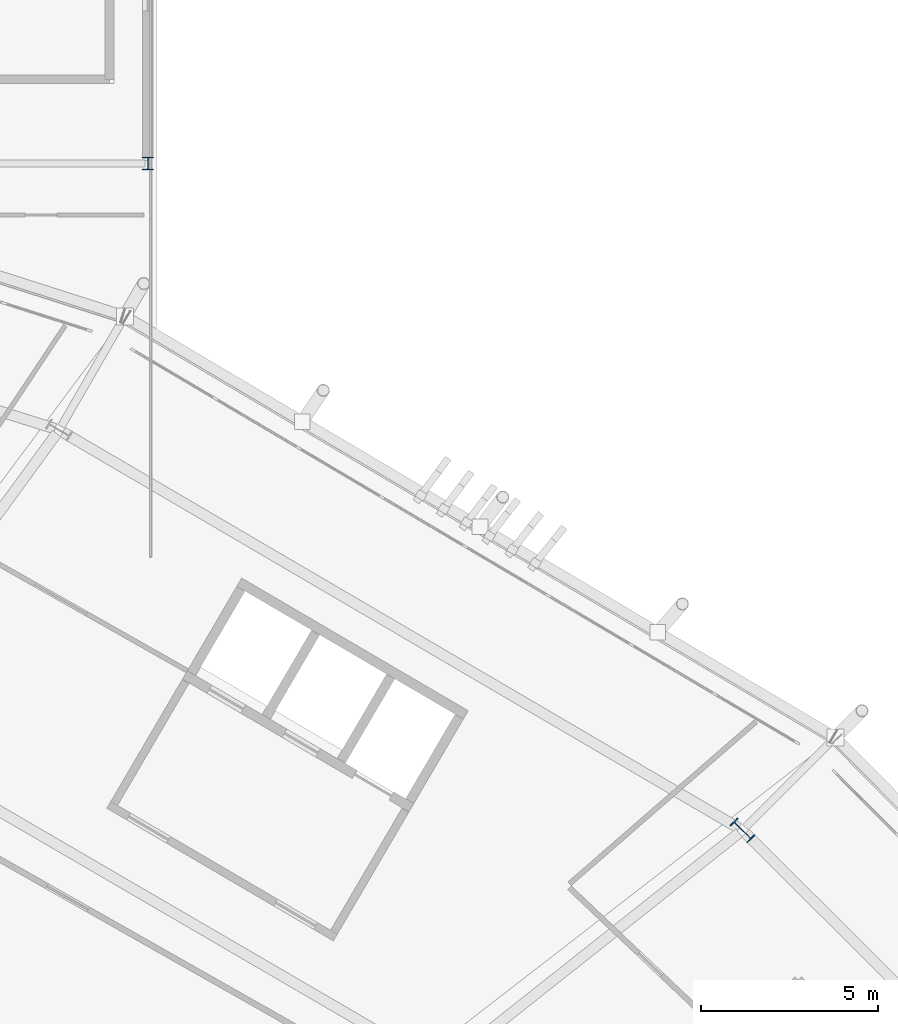
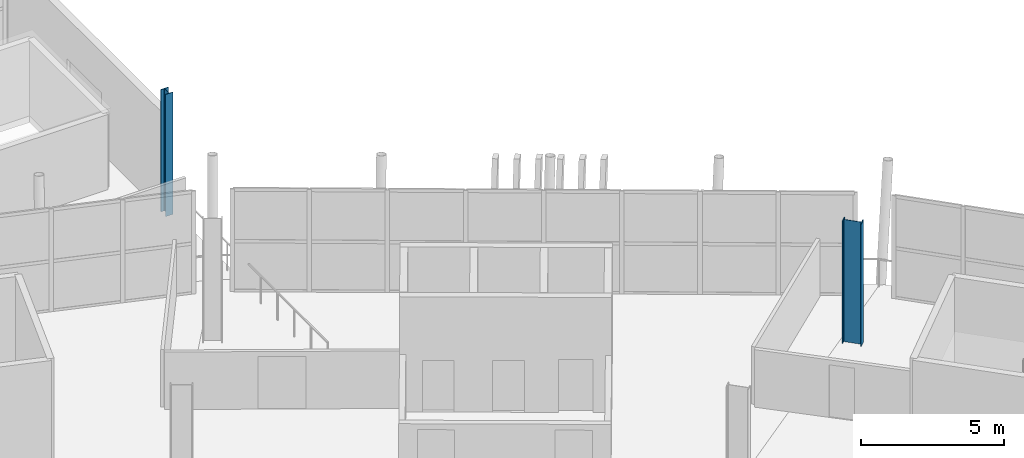
# One storey, part 19 of 168: 2 columns.
"""IFC4 building model written with IfcOpenShell, lengths in metres."""

import ifcopenshell
import ifcopenshell.guid

model = None  # the IFC model being written
_history = None  # IfcOwnerHistory: only IFC2X3 demands one
_inside = {}  # id of a spatial element -> (the spatial element, [elements in it])
_under = {}  # id of a project, library or spatial element -> (it, [spatial elements below it])
_declared = {}  # id of a project -> (the project, [libraries it declares])
_typed = {}  # id of a type object -> (the type object, [elements of that type])
_made_of = {}  # id of a material, layer set ... -> (it, [elements and type objects made of it])


def new_model(schema):
    """Start an empty IFC model of exactly this schema.

    Asked for "IFC4X3", IfcOpenShell would pick the latest addendum, in which some entities
    have other attributes; the version numbers below select the first issue.
    IFC2X3 requires an IfcOwnerHistory on every rooted entity: one is made here for all.
    """
    global model, _history
    if schema == "IFC4X3":
        model = ifcopenshell.file(schema_version=(4, 3, 0, 0))
    else:
        model = ifcopenshell.file(schema=schema)
    _inside.clear()
    _under.clear()
    _declared.clear()
    _typed.clear()
    _made_of.clear()
    _history = None
    if model.schema == "IFC2X3":
        org = make("IfcOrganization", Name="unknown")
        user = make(
            "IfcPersonAndOrganization",
            ThePerson=make("IfcPerson", FamilyName="unknown"),
            TheOrganization=org,
        )
        app = make(
            "IfcApplication",
            ApplicationDeveloper=org,
            Version="unknown",
            ApplicationFullName="unknown",
            ApplicationIdentifier="unknown",
        )
        _history = make(
            "IfcOwnerHistory",
            OwningUser=user,
            OwningApplication=app,
            ChangeAction="ADDED",
            CreationDate=0,
        )
    return model


def make(cls, **values):
    """One entity of the class cls with the attributes given. An attribute that is None is left unset."""
    return model.create_entity(
        cls, **{name: value for name, value in values.items() if value is not None}
    )


def rooted(cls, **values):
    """An entity with a GlobalId (a new one), such as an element, a storey or a relation."""
    return make(cls, GlobalId=ifcopenshell.guid.new(), OwnerHistory=_history, **values)


def si_unit(unit_type, name, prefix=None):
    """IfcSIUnit, for example si_unit("LENGTHUNIT", "METRE", prefix="MILLI")."""
    return make("IfcSIUnit", UnitType=unit_type, Prefix=prefix, Name=name)


def assignment(units):
    """IfcUnitAssignment: the units of a project."""
    return None if units is None else make("IfcUnitAssignment", Units=units)


def point(xyz):
    """IfcCartesianPoint."""
    return None if xyz is None else make("IfcCartesianPoint", Coordinates=xyz)


def direction(xyz):
    """IfcDirection."""
    return None if xyz is None else make("IfcDirection", DirectionRatios=xyz)


def frame(location, z_axis=None, x_axis=None):
    """IfcAxis2Placement3D, a coordinate frame: its origin and axes. An axis left out is left unset."""
    return make(
        "IfcAxis2Placement3D",
        Location=point(location),
        Axis=direction(z_axis),
        RefDirection=direction(x_axis),
    )


def frame_2d(location, x_axis=None):
    """IfcAxis2Placement2D, a coordinate frame in the plane: its origin and x axis."""
    return make(
        "IfcAxis2Placement2D", Location=point(location), RefDirection=direction(x_axis)
    )


def origin():
    """The frame at (0, 0, 0) with its axes left unset."""
    return frame((0.0, 0.0, 0.0))


def origin_2d():
    """The frame at (0, 0) in the plane with its x axis left unset."""
    return frame_2d((0.0, 0.0))


def place(relative_to, where):
    """IfcLocalPlacement: puts the frame where relative to a parent placement (None: the world)."""
    return make(
        "IfcLocalPlacement", PlacementRelTo=relative_to, RelativePlacement=where
    )


def context(
    kind, dimensions, precision=None, world=None, true_north=None, identifier=None
):
    """IfcGeometricRepresentationContext, for example the 3D "Model" context."""
    return make(
        "IfcGeometricRepresentationContext",
        ContextIdentifier=identifier,
        ContextType=kind,
        CoordinateSpaceDimension=dimensions,
        Precision=precision,
        WorldCoordinateSystem=world,
        TrueNorth=true_north,
    )


def subcontext(parent, identifier, kind, view, scale=None):
    """IfcGeometricRepresentationSubContext, for example "Body" below "Model"."""
    return make(
        "IfcGeometricRepresentationSubContext",
        ContextIdentifier=identifier,
        ContextType=kind,
        ParentContext=parent,
        TargetScale=scale,
        TargetView=view,
    )


def project(units=None, contexts=None):
    """IfcProject with its units and contexts."""
    return rooted(
        "IfcProject",
        Name="project",
        RepresentationContexts=contexts,
        UnitsInContext=assignment(units),
    )


def spatial(cls, under=None, at=None, **own):
    """A site, building, storey or space (cls), placed at a placement, below another one or the project."""
    s = rooted(cls, ObjectPlacement=at, **own)
    if under is not None:
        _under.setdefault(under.id(), (under, []))[1].append(s)
    return s


def profile(cls, at=None, kind="AREA", **sizes):
    """A parametric profile (cls). Its sizes go by their IFC names, for example OverallWidth=200.0."""
    return make(cls, ProfileType=kind, Position=at, **sizes)


def i_section(**sizes):
    """IfcIShapeProfileDef."""
    return profile("IfcIShapeProfileDef", **sizes)


def extrude(swept, where, along, depth):
    """IfcExtrudedAreaSolid: the profile swept, set in the frame where, extruded along a direction by depth."""
    return make(
        "IfcExtrudedAreaSolid",
        SweptArea=swept,
        Position=where,
        ExtrudedDirection=direction(along),
        Depth=depth,
    )


def shape(context_of_items, identifier, shape_type, items):
    """IfcShapeRepresentation: the items that make up one representation, for example the "Body"."""
    return make(
        "IfcShapeRepresentation",
        ContextOfItems=context_of_items,
        RepresentationIdentifier=identifier,
        RepresentationType=shape_type,
        Items=items,
    )


def material(Name=None, Category=None):
    """IfcMaterial."""
    return make("IfcMaterial", Name=Name, Category=Category)


def material_profile(
    of_material, cross_section, Name=None, Category=None, Priority=None
):
    """IfcMaterialProfile: a cross section and its material."""
    return make(
        "IfcMaterialProfile",
        Name=Name,
        Material=of_material,
        Profile=cross_section,
        Priority=Priority,
        Category=Category,
    )


def profile_set(profiles, Name=None, composite=None):
    """IfcMaterialProfileSet."""
    return make(
        "IfcMaterialProfileSet",
        Name=Name,
        MaterialProfiles=profiles,
        CompositeProfile=composite,
    )


def made_of(thing, what):
    """Note that an element or type object is made of a material, layer set ...; save() writes the relation."""
    if what is not None:
        _made_of.setdefault(what.id(), (what, []))[1].append(thing)
    return thing


def type_object(cls, material=None, **own):
    """A type object (cls), such as IfcWallType, which elements share."""
    return made_of(rooted(cls, **own), material)


def element(
    cls,
    number,
    at=None,
    inside=None,
    cuts=None,
    type_object=None,
    material=None,
    context=None,
    identifier="Body",
    shape_type=None,
    held_by="IfcProductDefinitionShape",
    body=None,
    shapes=None,
    **own,
):
    """One element of the class cls, such as IfcWall. Its Tag is "e" and its number.

    at: its placement. inside: the storey or other place that contains it. cuts: it is an
    opening in that element (IfcRelVoidsElement). A single representation is given by context,
    identifier, shape_type and body (its items); several are given by shapes. held_by: the class
    of the entity that holds the representations. save() writes the other relations.
    """
    e = rooted(cls, Tag="e%d" % number, ObjectPlacement=at, **own)
    if body is not None:
        shapes = [shape(context, identifier, shape_type, body)]
    if shapes is not None:
        e.Representation = make(held_by, Representations=shapes)
    if inside is not None:
        _inside.setdefault(inside.id(), (inside, []))[1].append(e)
    if cuts is not None:
        rooted(
            "IfcRelVoidsElement", RelatingBuildingElement=cuts, RelatedOpeningElement=e
        )
    if type_object is not None:
        _typed.setdefault(type_object.id(), (type_object, []))[1].append(e)
    return made_of(e, material)


def aggregate(whole, parts):
    """IfcRelAggregates: a whole, such as a stair, and the parts it consists of."""
    return rooted("IfcRelAggregates", RelatingObject=whole, RelatedObjects=parts)


def save(model, path):
    """Write the relations noted so far, then the file.

    IfcRelAggregates (storeys below a building ...), IfcRelContainedInSpatialStructure (elements
    in a storey), IfcRelDefinesByType, IfcRelAssociatesMaterial and IfcRelDeclares: one each for
    every whole, place, type object, material and project.
    """
    for whole, parts in _under.values():
        aggregate(whole, parts)
    for where, things in _inside.values():
        rooted(
            "IfcRelContainedInSpatialStructure",
            RelatedElements=things,
            RelatingStructure=where,
        )
    for kind, things in _typed.values():
        rooted("IfcRelDefinesByType", RelatedObjects=things, RelatingType=kind)
    for what, things in _made_of.values():
        rooted("IfcRelAssociatesMaterial", RelatedObjects=things, RelatingMaterial=what)
    for by, libraries in _declared.values():
        rooted("IfcRelDeclares", RelatingContext=by, RelatedDefinitions=libraries)
    model.write(path)


model = new_model("IFC4")

# Units and contexts
model_context = context("Model", 3, precision=1e-05, world=origin(), true_north=direction((0.0, 1.0)))
body_context = subcontext(model_context, "Body", "Model", "MODEL_VIEW")
ifc_project = project(units=[si_unit("LENGTHUNIT", "METRE"), si_unit("AREAUNIT", "SQUARE_METRE"), si_unit("VOLUMEUNIT", "CUBIC_METRE"), si_unit("PLANEANGLEUNIT", "RADIAN"), si_unit("MASSUNIT", "GRAM", prefix="KILO")], contexts=[model_context])

# Site, building, storey
site_placement = place(None, origin())
site = spatial("IfcSite", under=ifc_project, at=site_placement, CompositionType="ELEMENT")
building_placement = place(site_placement, origin())
building = spatial("IfcBuilding", under=site, at=building_placement, Name="Zlatoyarsky Gate Stadium", CompositionType="ELEMENT")
storey_placement = place(building_placement, frame((0.0, 0.0, 15.60009765625)))
storey = spatial("IfcBuildingStorey", under=building, at=storey_placement, Name="L03", CompositionType="ELEMENT", Elevation=15.60009765625)

# Columns
ifc_material = material(Name="Steel S355", Category="steel")
ifc_material_profile_1 = material_profile(ifc_material, i_section(OverallWidth=0.300048828125, OverallDepth=0.360107421875, WebThickness=0.012451171875, FlangeThickness=0.0224609375, FilletRadius=0.027099609375, at=origin_2d()), Name="HEB 360")
ifc_profile_set_1 = profile_set([ifc_material_profile_1], Name="Steel S355")
column_type_1 = type_object("IfcColumnType", Name="STEEL COLUMN HEB 360", PredefinedType="COLUMN", material=ifc_profile_set_1)
column_1_placement = place(storey_placement, frame((160.0, 149.0, 0.0), z_axis=(0.0, 0.0, 1.0), x_axis=(1.0, 0.0, 0.0)))
element("IfcColumn", 1, at=column_1_placement, inside=storey, type_object=column_type_1, Name="Column ST-C360 WG-14-P on L03", PredefinedType="COLUMN", context=body_context, shape_type="SweptSolid", body=[
    extrude(i_section(OverallWidth=0.300048828125, OverallDepth=0.360107421875, WebThickness=0.012451171875, FlangeThickness=0.0224609375, FilletRadius=0.027099609375, at=origin_2d()), origin(), (0.0, 0.0, 1.0), 5.199951171875),
])
ifc_material_profile_2 = material_profile(ifc_material, i_section(OverallWidth=0.300048828125, OverallDepth=0.699951171875, WebThickness=0.01708984375, FlangeThickness=0.031982421875, FilletRadius=0.027099609375, at=origin_2d()), Name="HEB 700")
ifc_profile_set_2 = profile_set([ifc_material_profile_2], Name="Steel S355")
column_type_2 = type_object("IfcColumnType", Name="STEEL COLUMN HEB 700", PredefinedType="COLUMN", material=ifc_profile_set_2)
column_2_placement = place(storey_placement, frame((176.760986328125, 130.20458984375, 0.0), z_axis=(0.0, 0.0, 1.0), x_axis=(0.707106781187, 0.707106781187, 0.0)))
element("IfcColumn", 2, at=column_2_placement, inside=storey, type_object=column_type_2, Name="Column ST-C700 RC-03 on L03", PredefinedType="COLUMN", context=body_context, shape_type="SweptSolid", body=[
    extrude(i_section(OverallWidth=0.300048828125, OverallDepth=0.699951171875, WebThickness=0.01708984375, FlangeThickness=0.031982421875, FilletRadius=0.027099609375, at=origin_2d()), origin(), (0.0, 0.0, 1.0), 5.199951171875),
])

save(model, "model.ifc")
